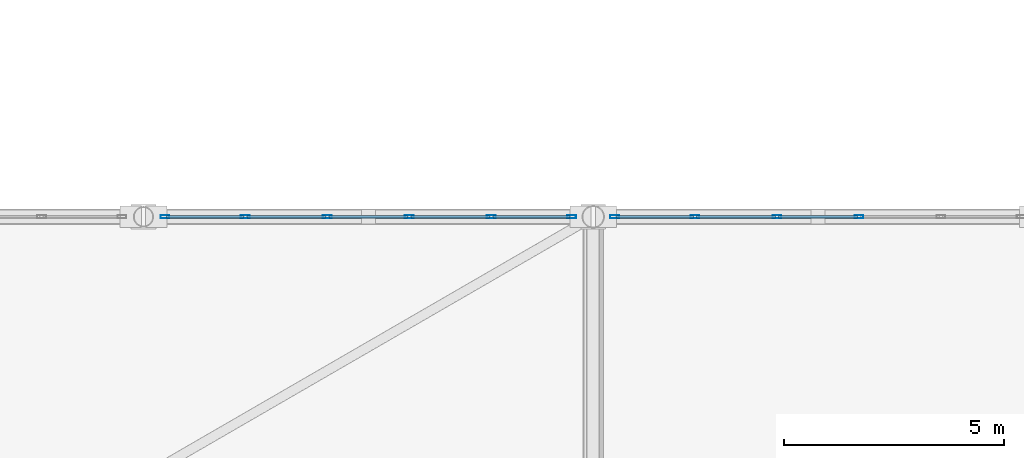
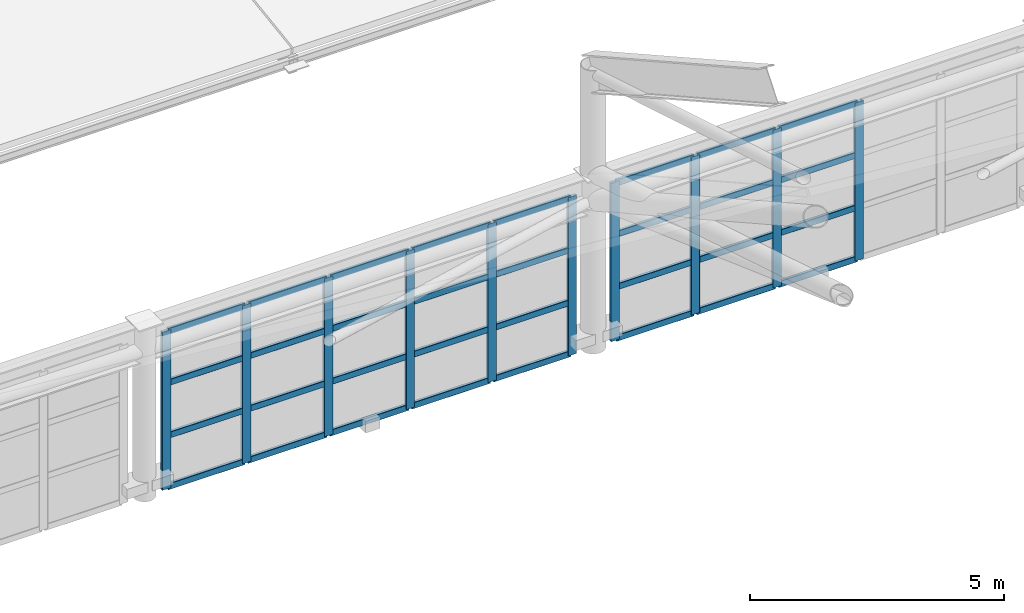
# One storey, part 71 of 135: 42 members, 2 elements without a shape of their own.
"""IFC4 building model written with IfcOpenShell, lengths in metres."""

import ifcopenshell
import ifcopenshell.guid

model = None  # the IFC model being written
_history = None  # IfcOwnerHistory: only IFC2X3 demands one
_inside = {}  # id of a spatial element -> (the spatial element, [elements in it])
_under = {}  # id of a project, library or spatial element -> (it, [spatial elements below it])
_declared = {}  # id of a project -> (the project, [libraries it declares])
_typed = {}  # id of a type object -> (the type object, [elements of that type])
_made_of = {}  # id of a material, layer set ... -> (it, [elements and type objects made of it])


def new_model(schema):
    """Start an empty IFC model of exactly this schema.

    Asked for "IFC4X3", IfcOpenShell would pick the latest addendum, in which some entities
    have other attributes; the version numbers below select the first issue.
    IFC2X3 requires an IfcOwnerHistory on every rooted entity: one is made here for all.
    """
    global model, _history
    if schema == "IFC4X3":
        model = ifcopenshell.file(schema_version=(4, 3, 0, 0))
    else:
        model = ifcopenshell.file(schema=schema)
    _inside.clear()
    _under.clear()
    _declared.clear()
    _typed.clear()
    _made_of.clear()
    _history = None
    if model.schema == "IFC2X3":
        org = make("IfcOrganization", Name="unknown")
        user = make(
            "IfcPersonAndOrganization",
            ThePerson=make("IfcPerson", FamilyName="unknown"),
            TheOrganization=org,
        )
        app = make(
            "IfcApplication",
            ApplicationDeveloper=org,
            Version="unknown",
            ApplicationFullName="unknown",
            ApplicationIdentifier="unknown",
        )
        _history = make(
            "IfcOwnerHistory",
            OwningUser=user,
            OwningApplication=app,
            ChangeAction="ADDED",
            CreationDate=0,
        )
    return model


def make(cls, **values):
    """One entity of the class cls with the attributes given. An attribute that is None is left unset."""
    return model.create_entity(
        cls, **{name: value for name, value in values.items() if value is not None}
    )


def rooted(cls, **values):
    """An entity with a GlobalId (a new one), such as an element, a storey or a relation."""
    return make(cls, GlobalId=ifcopenshell.guid.new(), OwnerHistory=_history, **values)


def si_unit(unit_type, name, prefix=None):
    """IfcSIUnit, for example si_unit("LENGTHUNIT", "METRE", prefix="MILLI")."""
    return make("IfcSIUnit", UnitType=unit_type, Prefix=prefix, Name=name)


def assignment(units):
    """IfcUnitAssignment: the units of a project."""
    return None if units is None else make("IfcUnitAssignment", Units=units)


def point(xyz):
    """IfcCartesianPoint."""
    return None if xyz is None else make("IfcCartesianPoint", Coordinates=xyz)


def direction(xyz):
    """IfcDirection."""
    return None if xyz is None else make("IfcDirection", DirectionRatios=xyz)


def frame(location, z_axis=None, x_axis=None):
    """IfcAxis2Placement3D, a coordinate frame: its origin and axes. An axis left out is left unset."""
    return make(
        "IfcAxis2Placement3D",
        Location=point(location),
        Axis=direction(z_axis),
        RefDirection=direction(x_axis),
    )


def frame_2d(location, x_axis=None):
    """IfcAxis2Placement2D, a coordinate frame in the plane: its origin and x axis."""
    return make(
        "IfcAxis2Placement2D", Location=point(location), RefDirection=direction(x_axis)
    )


def origin():
    """The frame at (0, 0, 0) with its axes left unset."""
    return frame((0.0, 0.0, 0.0))


def origin_2d():
    """The frame at (0, 0) in the plane with its x axis left unset."""
    return frame_2d((0.0, 0.0))


def place(relative_to, where):
    """IfcLocalPlacement: puts the frame where relative to a parent placement (None: the world)."""
    return make(
        "IfcLocalPlacement", PlacementRelTo=relative_to, RelativePlacement=where
    )


def context(
    kind, dimensions, precision=None, world=None, true_north=None, identifier=None
):
    """IfcGeometricRepresentationContext, for example the 3D "Model" context."""
    return make(
        "IfcGeometricRepresentationContext",
        ContextIdentifier=identifier,
        ContextType=kind,
        CoordinateSpaceDimension=dimensions,
        Precision=precision,
        WorldCoordinateSystem=world,
        TrueNorth=true_north,
    )


def subcontext(parent, identifier, kind, view, scale=None):
    """IfcGeometricRepresentationSubContext, for example "Body" below "Model"."""
    return make(
        "IfcGeometricRepresentationSubContext",
        ContextIdentifier=identifier,
        ContextType=kind,
        ParentContext=parent,
        TargetScale=scale,
        TargetView=view,
    )


def project(units=None, contexts=None):
    """IfcProject with its units and contexts."""
    return rooted(
        "IfcProject",
        Name="project",
        RepresentationContexts=contexts,
        UnitsInContext=assignment(units),
    )


def spatial(cls, under=None, at=None, **own):
    """A site, building, storey or space (cls), placed at a placement, below another one or the project."""
    s = rooted(cls, ObjectPlacement=at, **own)
    if under is not None:
        _under.setdefault(under.id(), (under, []))[1].append(s)
    return s


def profile(cls, at=None, kind="AREA", **sizes):
    """A parametric profile (cls). Its sizes go by their IFC names, for example OverallWidth=200.0."""
    return make(cls, ProfileType=kind, Position=at, **sizes)


def hollow_rectangle(**sizes):
    """IfcRectangleHollowProfileDef."""
    return profile("IfcRectangleHollowProfileDef", **sizes)


def extrude(swept, where, along, depth):
    """IfcExtrudedAreaSolid: the profile swept, set in the frame where, extruded along a direction by depth."""
    return make(
        "IfcExtrudedAreaSolid",
        SweptArea=swept,
        Position=where,
        ExtrudedDirection=direction(along),
        Depth=depth,
    )


def shape(context_of_items, identifier, shape_type, items):
    """IfcShapeRepresentation: the items that make up one representation, for example the "Body"."""
    return make(
        "IfcShapeRepresentation",
        ContextOfItems=context_of_items,
        RepresentationIdentifier=identifier,
        RepresentationType=shape_type,
        Items=items,
    )


def material(Name=None, Category=None):
    """IfcMaterial."""
    return make("IfcMaterial", Name=Name, Category=Category)


def material_profile(
    of_material, cross_section, Name=None, Category=None, Priority=None
):
    """IfcMaterialProfile: a cross section and its material."""
    return make(
        "IfcMaterialProfile",
        Name=Name,
        Material=of_material,
        Profile=cross_section,
        Priority=Priority,
        Category=Category,
    )


def profile_set(profiles, Name=None, composite=None):
    """IfcMaterialProfileSet."""
    return make(
        "IfcMaterialProfileSet",
        Name=Name,
        MaterialProfiles=profiles,
        CompositeProfile=composite,
    )


def made_of(thing, what):
    """Note that an element or type object is made of a material, layer set ...; save() writes the relation."""
    if what is not None:
        _made_of.setdefault(what.id(), (what, []))[1].append(thing)
    return thing


def type_object(cls, material=None, **own):
    """A type object (cls), such as IfcWallType, which elements share."""
    return made_of(rooted(cls, **own), material)


def element(
    cls,
    number,
    at=None,
    inside=None,
    cuts=None,
    type_object=None,
    material=None,
    context=None,
    identifier="Body",
    shape_type=None,
    held_by="IfcProductDefinitionShape",
    body=None,
    shapes=None,
    **own,
):
    """One element of the class cls, such as IfcWall. Its Tag is "e" and its number.

    at: its placement. inside: the storey or other place that contains it. cuts: it is an
    opening in that element (IfcRelVoidsElement). A single representation is given by context,
    identifier, shape_type and body (its items); several are given by shapes. held_by: the class
    of the entity that holds the representations. save() writes the other relations.
    """
    e = rooted(cls, Tag="e%d" % number, ObjectPlacement=at, **own)
    if body is not None:
        shapes = [shape(context, identifier, shape_type, body)]
    if shapes is not None:
        e.Representation = make(held_by, Representations=shapes)
    if inside is not None:
        _inside.setdefault(inside.id(), (inside, []))[1].append(e)
    if cuts is not None:
        rooted(
            "IfcRelVoidsElement", RelatingBuildingElement=cuts, RelatedOpeningElement=e
        )
    if type_object is not None:
        _typed.setdefault(type_object.id(), (type_object, []))[1].append(e)
    return made_of(e, material)


def aggregate(whole, parts):
    """IfcRelAggregates: a whole, such as a stair, and the parts it consists of."""
    return rooted("IfcRelAggregates", RelatingObject=whole, RelatedObjects=parts)


def save(model, path):
    """Write the relations noted so far, then the file.

    IfcRelAggregates (storeys below a building ...), IfcRelContainedInSpatialStructure (elements
    in a storey), IfcRelDefinesByType, IfcRelAssociatesMaterial and IfcRelDeclares: one each for
    every whole, place, type object, material and project.
    """
    for whole, parts in _under.values():
        aggregate(whole, parts)
    for where, things in _inside.values():
        rooted(
            "IfcRelContainedInSpatialStructure",
            RelatedElements=things,
            RelatingStructure=where,
        )
    for kind, things in _typed.values():
        rooted("IfcRelDefinesByType", RelatedObjects=things, RelatingType=kind)
    for what, things in _made_of.values():
        rooted("IfcRelAssociatesMaterial", RelatedObjects=things, RelatingMaterial=what)
    for by, libraries in _declared.values():
        rooted("IfcRelDeclares", RelatingContext=by, RelatedDefinitions=libraries)
    model.write(path)


model = new_model("IFC4")

# Units and contexts
model_context = context("Model", 3, precision=1e-05, world=origin(), true_north=direction((0.0, 1.0)))
body_context = subcontext(model_context, "Body", "Model", "MODEL_VIEW")
ifc_project = project(units=[si_unit("LENGTHUNIT", "METRE"), si_unit("AREAUNIT", "SQUARE_METRE"), si_unit("VOLUMEUNIT", "CUBIC_METRE"), si_unit("PLANEANGLEUNIT", "RADIAN"), si_unit("MASSUNIT", "GRAM", prefix="KILO")], contexts=[model_context])

# Site, building, storey
site_placement = place(None, origin())
site = spatial("IfcSite", under=ifc_project, at=site_placement, CompositionType="ELEMENT")
building_placement = place(site_placement, origin())
building = spatial("IfcBuilding", under=site, at=building_placement, Name="Brelvane Convention Centre", CompositionType="ELEMENT")
storey_placement = place(building_placement, frame((0.0, 0.0, 15.0)))
storey = spatial("IfcBuildingStorey", under=building, at=storey_placement, Name="L03", CompositionType="ELEMENT", Elevation=15.0)

# Curtain wall, members
ifc_material_1 = material(Name="Anodised Aluminium Alloy 6063-T6", Category="aluminium")
curtain_wall_type = type_object("IfcCurtainWallType", Name="Curtain Wall CW-PLEN-E", PredefinedType="USERDEFINED", material=ifc_material_1)
curtain_wall_1_placement = place(storey_placement, origin())
curtain_wall_1 = element("IfcCurtainWall", 1, at=curtain_wall_1_placement, inside=storey, type_object=curtain_wall_type, Name="Curtain Wall CW-PLEN-E L03-PLEN-N-CLER-2", ObjectType="UNITISED", PredefinedType="USERDEFINED")
ifc_material_2 = material(Name="Anodised Aluminium Alloy 6063-T6", Category="aluminium")
ifc_material_profile_1 = material_profile(ifc_material_2, hollow_rectangle(XDim=0.074951171875, YDim=0.199951171875, WallThickness=0.0048828125, InnerFilletRadius=0.0048828125, OuterFilletRadius=0.010009765625, at=origin_2d()), Name="ALU-M 200x75x5.0")
ifc_profile_set_1 = profile_set([ifc_material_profile_1], Name="Anodised Aluminium Alloy 6063-T6")
member_type_1 = type_object("IfcMemberType", Name="Curtain Mullion CW-M2", PredefinedType="MULLION", material=ifc_profile_set_1)
member_1_placement = place(storey_placement, frame((173.887451171875, 87.800048828125, 0.0), z_axis=(0.0, 0.0, 1.0), x_axis=(0.0, 1.0, 0.0)))
member_1 = element("IfcMember", 2, at=member_1_placement, type_object=member_type_1, Name="CW-PLEN-E mullion 1", PredefinedType="MULLION", context=body_context, shape_type="SweptSolid", body=[
    extrude(hollow_rectangle(XDim=0.074951171875, YDim=0.199951171875, WallThickness=0.0048828125, InnerFilletRadius=0.0048828125, OuterFilletRadius=0.010009765625, at=origin_2d()), origin(), (0.0, 0.0, 1.0), 3.800048828125),
])
member_2_placement = place(storey_placement, frame((175.7099609375, 87.800048828125, 0.0), z_axis=(0.0, 0.0, 1.0), x_axis=(0.0, 1.0, 0.0)))
member_2 = element("IfcMember", 3, at=member_2_placement, type_object=member_type_1, Name="CW-PLEN-E mullion 2", PredefinedType="MULLION", context=body_context, shape_type="SweptSolid", body=[
    extrude(hollow_rectangle(XDim=0.074951171875, YDim=0.199951171875, WallThickness=0.0048828125, InnerFilletRadius=0.0048828125, OuterFilletRadius=0.010009765625, at=origin_2d()), origin(), (0.0, 0.0, 1.0), 3.800048828125),
])
member_3_placement = place(storey_placement, frame((177.570068359375, 87.800048828125, 0.0), z_axis=(0.0, 0.0, 1.0), x_axis=(0.0, 1.0, 0.0)))
member_3 = element("IfcMember", 4, at=member_3_placement, type_object=member_type_1, Name="CW-PLEN-E mullion 3", PredefinedType="MULLION", context=body_context, shape_type="SweptSolid", body=[
    extrude(hollow_rectangle(XDim=0.074951171875, YDim=0.199951171875, WallThickness=0.0048828125, InnerFilletRadius=0.0048828125, OuterFilletRadius=0.010009765625, at=origin_2d()), origin(), (0.0, 0.0, 1.0), 3.800048828125),
])
member_4_placement = place(storey_placement, frame((179.429931640625, 87.800048828125, 0.0), z_axis=(0.0, 0.0, 1.0), x_axis=(0.0, 1.0, 0.0)))
member_4 = element("IfcMember", 5, at=member_4_placement, type_object=member_type_1, Name="CW-PLEN-E mullion 4", PredefinedType="MULLION", context=body_context, shape_type="SweptSolid", body=[
    extrude(hollow_rectangle(XDim=0.074951171875, YDim=0.199951171875, WallThickness=0.0048828125, InnerFilletRadius=0.0048828125, OuterFilletRadius=0.010009765625, at=origin_2d()), origin(), (0.0, 0.0, 1.0), 3.800048828125),
])
member_5_placement = place(storey_placement, frame((181.2900390625, 87.800048828125, 0.0), z_axis=(0.0, 0.0, 1.0), x_axis=(0.0, 1.0, 0.0)))
member_5 = element("IfcMember", 6, at=member_5_placement, type_object=member_type_1, Name="CW-PLEN-E mullion 5", PredefinedType="MULLION", context=body_context, shape_type="SweptSolid", body=[
    extrude(hollow_rectangle(XDim=0.074951171875, YDim=0.199951171875, WallThickness=0.0048828125, InnerFilletRadius=0.0048828125, OuterFilletRadius=0.010009765625, at=origin_2d()), origin(), (0.0, 0.0, 1.0), 3.800048828125),
])
member_6_placement = place(storey_placement, frame((183.112548828125, 87.800048828125, 0.0), z_axis=(0.0, 0.0, 1.0), x_axis=(0.0, 1.0, 0.0)))
member_6 = element("IfcMember", 7, at=member_6_placement, type_object=member_type_1, Name="CW-PLEN-E mullion 6", PredefinedType="MULLION", context=body_context, shape_type="SweptSolid", body=[
    extrude(hollow_rectangle(XDim=0.074951171875, YDim=0.199951171875, WallThickness=0.0048828125, InnerFilletRadius=0.0048828125, OuterFilletRadius=0.010009765625, at=origin_2d()), origin(), (0.0, 0.0, 1.0), 3.800048828125),
])

curtain_wall_2_placement = place(storey_placement, origin())
curtain_wall_2 = element("IfcCurtainWall", 8, at=curtain_wall_2_placement, inside=storey, type_object=curtain_wall_type, Name="Curtain Wall CW-PLEN-E L03-PLEN-N-CLER-3", ObjectType="UNITISED", PredefinedType="USERDEFINED")
member_7_placement = place(storey_placement, frame((184.08740234375, 87.800048828125, 0.0), z_axis=(0.0, 0.0, 1.0), x_axis=(0.0, 1.0, 0.0)))
member_7 = element("IfcMember", 9, at=member_7_placement, type_object=member_type_1, Name="CW-PLEN-E mullion 1", PredefinedType="MULLION", context=body_context, shape_type="SweptSolid", body=[
    extrude(hollow_rectangle(XDim=0.074951171875, YDim=0.199951171875, WallThickness=0.0048828125, InnerFilletRadius=0.0048828125, OuterFilletRadius=0.010009765625, at=origin_2d()), origin(), (0.0, 0.0, 1.0), 3.800048828125),
])
member_8_placement = place(storey_placement, frame((185.909912109375, 87.800048828125, 0.0), z_axis=(0.0, 0.0, 1.0), x_axis=(0.0, 1.0, 0.0)))
member_8 = element("IfcMember", 10, at=member_8_placement, type_object=member_type_1, Name="CW-PLEN-E mullion 2", PredefinedType="MULLION", context=body_context, shape_type="SweptSolid", body=[
    extrude(hollow_rectangle(XDim=0.074951171875, YDim=0.199951171875, WallThickness=0.0048828125, InnerFilletRadius=0.0048828125, OuterFilletRadius=0.010009765625, at=origin_2d()), origin(), (0.0, 0.0, 1.0), 3.800048828125),
])
member_9_placement = place(storey_placement, frame((187.77001953125, 87.800048828125, 0.0), z_axis=(0.0, 0.0, 1.0), x_axis=(0.0, 1.0, 0.0)))
member_9 = element("IfcMember", 11, at=member_9_placement, type_object=member_type_1, Name="CW-PLEN-E mullion 3", PredefinedType="MULLION", context=body_context, shape_type="SweptSolid", body=[
    extrude(hollow_rectangle(XDim=0.074951171875, YDim=0.199951171875, WallThickness=0.0048828125, InnerFilletRadius=0.0048828125, OuterFilletRadius=0.010009765625, at=origin_2d()), origin(), (0.0, 0.0, 1.0), 3.800048828125),
])
member_10_placement = place(storey_placement, frame((189.6298828125, 87.800048828125, 0.0), z_axis=(0.0, 0.0, 1.0), x_axis=(0.0, 1.0, 0.0)))
member_10 = element("IfcMember", 12, at=member_10_placement, type_object=member_type_1, Name="CW-PLEN-E mullion 4", PredefinedType="MULLION", context=body_context, shape_type="SweptSolid", body=[
    extrude(hollow_rectangle(XDim=0.074951171875, YDim=0.199951171875, WallThickness=0.0048828125, InnerFilletRadius=0.0048828125, OuterFilletRadius=0.010009765625, at=origin_2d()), origin(), (0.0, 0.0, 1.0), 3.800048828125),
])

# Member
ifc_material_3 = material(Name="Anodised Aluminium Alloy 6063-T6", Category="aluminium")
ifc_material_profile_2 = material_profile(ifc_material_3, hollow_rectangle(XDim=0.070068359375, YDim=0.14990234375, WallThickness=0.00439453125, InnerFilletRadius=0.00439453125, OuterFilletRadius=0.009033203125, at=origin_2d()), Name="ALU-T 150x70x4.5")
ifc_profile_set_2 = profile_set([ifc_material_profile_2], Name="Anodised Aluminium Alloy 6063-T6")
member_type_2 = type_object("IfcMemberType", Name="Curtain Transom CW-T2", PredefinedType="USERDEFINED", material=ifc_profile_set_2)
member_11_placement = place(storey_placement, frame((173.925048828125, 87.800048828125, 0.034912109375), z_axis=(1.0, 0.0, 0.0), x_axis=(0.0, 1.0, 0.0)))
member_11 = element("IfcMember", 13, at=member_11_placement, type_object=member_type_2, Name="CW-PLEN-E transom 1.1", ObjectType="TRANSOM", PredefinedType="USERDEFINED", context=body_context, shape_type="SweptSolid", body=[
    extrude(hollow_rectangle(XDim=0.070068359375, YDim=0.14990234375, WallThickness=0.00439453125, InnerFilletRadius=0.00439453125, OuterFilletRadius=0.009033203125, at=origin_2d()), origin(), (0.0, 0.0, 1.0), 1.74755859375),
])

member_12_placement = place(storey_placement, frame((173.925048828125, 87.800048828125, 1.2666015625), z_axis=(1.0, 0.0, 0.0), x_axis=(0.0, 1.0, 0.0)))
member_12 = element("IfcMember", 14, at=member_12_placement, type_object=member_type_2, Name="CW-PLEN-E transom 1.2", ObjectType="TRANSOM", PredefinedType="USERDEFINED", context=body_context, shape_type="SweptSolid", body=[
    extrude(hollow_rectangle(XDim=0.070068359375, YDim=0.14990234375, WallThickness=0.00439453125, InnerFilletRadius=0.00439453125, OuterFilletRadius=0.009033203125, at=origin_2d()), origin(), (0.0, 0.0, 1.0), 1.74755859375),
])

member_13_placement = place(storey_placement, frame((173.925048828125, 87.800048828125, 2.533203125), z_axis=(1.0, 0.0, 0.0), x_axis=(0.0, 1.0, 0.0)))
member_13 = element("IfcMember", 15, at=member_13_placement, type_object=member_type_2, Name="CW-PLEN-E transom 1.3", ObjectType="TRANSOM", PredefinedType="USERDEFINED", context=body_context, shape_type="SweptSolid", body=[
    extrude(hollow_rectangle(XDim=0.070068359375, YDim=0.14990234375, WallThickness=0.00439453125, InnerFilletRadius=0.00439453125, OuterFilletRadius=0.009033203125, at=origin_2d()), origin(), (0.0, 0.0, 1.0), 1.74755859375),
])

member_14_placement = place(storey_placement, frame((173.925048828125, 87.800048828125, 3.764892578125), z_axis=(1.0, 0.0, 0.0), x_axis=(0.0, 1.0, 0.0)))
member_14 = element("IfcMember", 16, at=member_14_placement, type_object=member_type_2, Name="CW-PLEN-E transom 1.4", ObjectType="TRANSOM", PredefinedType="USERDEFINED", context=body_context, shape_type="SweptSolid", body=[
    extrude(hollow_rectangle(XDim=0.070068359375, YDim=0.14990234375, WallThickness=0.00439453125, InnerFilletRadius=0.00439453125, OuterFilletRadius=0.009033203125, at=origin_2d()), origin(), (0.0, 0.0, 1.0), 1.74755859375),
])

member_15_placement = place(storey_placement, frame((175.74755859375, 87.800048828125, 0.034912109375), z_axis=(1.0, 0.0, 0.0), x_axis=(0.0, 1.0, 0.0)))
member_15 = element("IfcMember", 17, at=member_15_placement, type_object=member_type_2, Name="CW-PLEN-E transom 2.1", ObjectType="TRANSOM", PredefinedType="USERDEFINED", context=body_context, shape_type="SweptSolid", body=[
    extrude(hollow_rectangle(XDim=0.070068359375, YDim=0.14990234375, WallThickness=0.00439453125, InnerFilletRadius=0.00439453125, OuterFilletRadius=0.009033203125, at=origin_2d()), origin(), (0.0, 0.0, 1.0), 1.784912109375),
])

member_16_placement = place(storey_placement, frame((175.74755859375, 87.800048828125, 1.2666015625), z_axis=(1.0, 0.0, 0.0), x_axis=(0.0, 1.0, 0.0)))
member_16 = element("IfcMember", 18, at=member_16_placement, type_object=member_type_2, Name="CW-PLEN-E transom 2.2", ObjectType="TRANSOM", PredefinedType="USERDEFINED", context=body_context, shape_type="SweptSolid", body=[
    extrude(hollow_rectangle(XDim=0.070068359375, YDim=0.14990234375, WallThickness=0.00439453125, InnerFilletRadius=0.00439453125, OuterFilletRadius=0.009033203125, at=origin_2d()), origin(), (0.0, 0.0, 1.0), 1.784912109375),
])

member_17_placement = place(storey_placement, frame((175.74755859375, 87.800048828125, 2.533203125), z_axis=(1.0, 0.0, 0.0), x_axis=(0.0, 1.0, 0.0)))
member_17 = element("IfcMember", 19, at=member_17_placement, type_object=member_type_2, Name="CW-PLEN-E transom 2.3", ObjectType="TRANSOM", PredefinedType="USERDEFINED", context=body_context, shape_type="SweptSolid", body=[
    extrude(hollow_rectangle(XDim=0.070068359375, YDim=0.14990234375, WallThickness=0.00439453125, InnerFilletRadius=0.00439453125, OuterFilletRadius=0.009033203125, at=origin_2d()), origin(), (0.0, 0.0, 1.0), 1.784912109375),
])

member_18_placement = place(storey_placement, frame((175.74755859375, 87.800048828125, 3.764892578125), z_axis=(1.0, 0.0, 0.0), x_axis=(0.0, 1.0, 0.0)))
member_18 = element("IfcMember", 20, at=member_18_placement, type_object=member_type_2, Name="CW-PLEN-E transom 2.4", ObjectType="TRANSOM", PredefinedType="USERDEFINED", context=body_context, shape_type="SweptSolid", body=[
    extrude(hollow_rectangle(XDim=0.070068359375, YDim=0.14990234375, WallThickness=0.00439453125, InnerFilletRadius=0.00439453125, OuterFilletRadius=0.009033203125, at=origin_2d()), origin(), (0.0, 0.0, 1.0), 1.784912109375),
])

member_19_placement = place(storey_placement, frame((177.607421875, 87.800048828125, 0.034912109375), z_axis=(1.0, 0.0, 0.0), x_axis=(0.0, 1.0, 0.0)))
member_19 = element("IfcMember", 21, at=member_19_placement, type_object=member_type_2, Name="CW-PLEN-E transom 3.1", ObjectType="TRANSOM", PredefinedType="USERDEFINED", context=body_context, shape_type="SweptSolid", body=[
    extrude(hollow_rectangle(XDim=0.070068359375, YDim=0.14990234375, WallThickness=0.00439453125, InnerFilletRadius=0.00439453125, OuterFilletRadius=0.009033203125, at=origin_2d()), origin(), (0.0, 0.0, 1.0), 1.78515625),
])

member_20_placement = place(storey_placement, frame((177.607421875, 87.800048828125, 1.2666015625), z_axis=(1.0, 0.0, 0.0), x_axis=(0.0, 1.0, 0.0)))
member_20 = element("IfcMember", 22, at=member_20_placement, type_object=member_type_2, Name="CW-PLEN-E transom 3.2", ObjectType="TRANSOM", PredefinedType="USERDEFINED", context=body_context, shape_type="SweptSolid", body=[
    extrude(hollow_rectangle(XDim=0.070068359375, YDim=0.14990234375, WallThickness=0.00439453125, InnerFilletRadius=0.00439453125, OuterFilletRadius=0.009033203125, at=origin_2d()), origin(), (0.0, 0.0, 1.0), 1.78515625),
])

member_21_placement = place(storey_placement, frame((177.607421875, 87.800048828125, 2.533203125), z_axis=(1.0, 0.0, 0.0), x_axis=(0.0, 1.0, 0.0)))
member_21 = element("IfcMember", 23, at=member_21_placement, type_object=member_type_2, Name="CW-PLEN-E transom 3.3", ObjectType="TRANSOM", PredefinedType="USERDEFINED", context=body_context, shape_type="SweptSolid", body=[
    extrude(hollow_rectangle(XDim=0.070068359375, YDim=0.14990234375, WallThickness=0.00439453125, InnerFilletRadius=0.00439453125, OuterFilletRadius=0.009033203125, at=origin_2d()), origin(), (0.0, 0.0, 1.0), 1.78515625),
])

member_22_placement = place(storey_placement, frame((177.607421875, 87.800048828125, 3.764892578125), z_axis=(1.0, 0.0, 0.0), x_axis=(0.0, 1.0, 0.0)))
member_22 = element("IfcMember", 24, at=member_22_placement, type_object=member_type_2, Name="CW-PLEN-E transom 3.4", ObjectType="TRANSOM", PredefinedType="USERDEFINED", context=body_context, shape_type="SweptSolid", body=[
    extrude(hollow_rectangle(XDim=0.070068359375, YDim=0.14990234375, WallThickness=0.00439453125, InnerFilletRadius=0.00439453125, OuterFilletRadius=0.009033203125, at=origin_2d()), origin(), (0.0, 0.0, 1.0), 1.78515625),
])

member_23_placement = place(storey_placement, frame((179.467529296875, 87.800048828125, 0.034912109375), z_axis=(1.0, 0.0, 0.0), x_axis=(0.0, 1.0, 0.0)))
member_23 = element("IfcMember", 25, at=member_23_placement, type_object=member_type_2, Name="CW-PLEN-E transom 4.1", ObjectType="TRANSOM", PredefinedType="USERDEFINED", context=body_context, shape_type="SweptSolid", body=[
    extrude(hollow_rectangle(XDim=0.070068359375, YDim=0.14990234375, WallThickness=0.00439453125, InnerFilletRadius=0.00439453125, OuterFilletRadius=0.009033203125, at=origin_2d()), origin(), (0.0, 0.0, 1.0), 1.784912109375),
])

member_24_placement = place(storey_placement, frame((179.467529296875, 87.800048828125, 1.2666015625), z_axis=(1.0, 0.0, 0.0), x_axis=(0.0, 1.0, 0.0)))
member_24 = element("IfcMember", 26, at=member_24_placement, type_object=member_type_2, Name="CW-PLEN-E transom 4.2", ObjectType="TRANSOM", PredefinedType="USERDEFINED", context=body_context, shape_type="SweptSolid", body=[
    extrude(hollow_rectangle(XDim=0.070068359375, YDim=0.14990234375, WallThickness=0.00439453125, InnerFilletRadius=0.00439453125, OuterFilletRadius=0.009033203125, at=origin_2d()), origin(), (0.0, 0.0, 1.0), 1.784912109375),
])

member_25_placement = place(storey_placement, frame((179.467529296875, 87.800048828125, 2.533203125), z_axis=(1.0, 0.0, 0.0), x_axis=(0.0, 1.0, 0.0)))
member_25 = element("IfcMember", 27, at=member_25_placement, type_object=member_type_2, Name="CW-PLEN-E transom 4.3", ObjectType="TRANSOM", PredefinedType="USERDEFINED", context=body_context, shape_type="SweptSolid", body=[
    extrude(hollow_rectangle(XDim=0.070068359375, YDim=0.14990234375, WallThickness=0.00439453125, InnerFilletRadius=0.00439453125, OuterFilletRadius=0.009033203125, at=origin_2d()), origin(), (0.0, 0.0, 1.0), 1.784912109375),
])

member_26_placement = place(storey_placement, frame((179.467529296875, 87.800048828125, 3.764892578125), z_axis=(1.0, 0.0, 0.0), x_axis=(0.0, 1.0, 0.0)))
member_26 = element("IfcMember", 28, at=member_26_placement, type_object=member_type_2, Name="CW-PLEN-E transom 4.4", ObjectType="TRANSOM", PredefinedType="USERDEFINED", context=body_context, shape_type="SweptSolid", body=[
    extrude(hollow_rectangle(XDim=0.070068359375, YDim=0.14990234375, WallThickness=0.00439453125, InnerFilletRadius=0.00439453125, OuterFilletRadius=0.009033203125, at=origin_2d()), origin(), (0.0, 0.0, 1.0), 1.784912109375),
])

member_27_placement = place(storey_placement, frame((181.327392578125, 87.800048828125, 0.034912109375), z_axis=(1.0, 0.0, 0.0), x_axis=(0.0, 1.0, 0.0)))
member_27 = element("IfcMember", 29, at=member_27_placement, type_object=member_type_2, Name="CW-PLEN-E transom 5.1", ObjectType="TRANSOM", PredefinedType="USERDEFINED", context=body_context, shape_type="SweptSolid", body=[
    extrude(hollow_rectangle(XDim=0.070068359375, YDim=0.14990234375, WallThickness=0.00439453125, InnerFilletRadius=0.00439453125, OuterFilletRadius=0.009033203125, at=origin_2d()), origin(), (0.0, 0.0, 1.0), 1.74755859375),
])

member_28_placement = place(storey_placement, frame((181.327392578125, 87.800048828125, 1.2666015625), z_axis=(1.0, 0.0, 0.0), x_axis=(0.0, 1.0, 0.0)))
member_28 = element("IfcMember", 30, at=member_28_placement, type_object=member_type_2, Name="CW-PLEN-E transom 5.2", ObjectType="TRANSOM", PredefinedType="USERDEFINED", context=body_context, shape_type="SweptSolid", body=[
    extrude(hollow_rectangle(XDim=0.070068359375, YDim=0.14990234375, WallThickness=0.00439453125, InnerFilletRadius=0.00439453125, OuterFilletRadius=0.009033203125, at=origin_2d()), origin(), (0.0, 0.0, 1.0), 1.74755859375),
])

member_29_placement = place(storey_placement, frame((181.327392578125, 87.800048828125, 2.533203125), z_axis=(1.0, 0.0, 0.0), x_axis=(0.0, 1.0, 0.0)))
member_29 = element("IfcMember", 31, at=member_29_placement, type_object=member_type_2, Name="CW-PLEN-E transom 5.3", ObjectType="TRANSOM", PredefinedType="USERDEFINED", context=body_context, shape_type="SweptSolid", body=[
    extrude(hollow_rectangle(XDim=0.070068359375, YDim=0.14990234375, WallThickness=0.00439453125, InnerFilletRadius=0.00439453125, OuterFilletRadius=0.009033203125, at=origin_2d()), origin(), (0.0, 0.0, 1.0), 1.74755859375),
])

member_30_placement = place(storey_placement, frame((181.327392578125, 87.800048828125, 3.764892578125), z_axis=(1.0, 0.0, 0.0), x_axis=(0.0, 1.0, 0.0)))
member_30 = element("IfcMember", 32, at=member_30_placement, type_object=member_type_2, Name="CW-PLEN-E transom 5.4", ObjectType="TRANSOM", PredefinedType="USERDEFINED", context=body_context, shape_type="SweptSolid", body=[
    extrude(hollow_rectangle(XDim=0.070068359375, YDim=0.14990234375, WallThickness=0.00439453125, InnerFilletRadius=0.00439453125, OuterFilletRadius=0.009033203125, at=origin_2d()), origin(), (0.0, 0.0, 1.0), 1.74755859375),
])

aggregate(curtain_wall_1, [member_1, member_2, member_3, member_4, member_5, member_6, member_11, member_12, member_13, member_14, member_15, member_16, member_17, member_18, member_19, member_20, member_21, member_22, member_23, member_24, member_25, member_26, member_27, member_28, member_29, member_30])

member_31_placement = place(storey_placement, frame((184.125, 87.800048828125, 0.034912109375), z_axis=(1.0, 0.0, 0.0), x_axis=(0.0, 1.0, 0.0)))
member_31 = element("IfcMember", 33, at=member_31_placement, type_object=member_type_2, Name="CW-PLEN-E transom 1.1", ObjectType="TRANSOM", PredefinedType="USERDEFINED", context=body_context, shape_type="SweptSolid", body=[
    extrude(hollow_rectangle(XDim=0.070068359375, YDim=0.14990234375, WallThickness=0.00439453125, InnerFilletRadius=0.00439453125, OuterFilletRadius=0.009033203125, at=origin_2d()), origin(), (0.0, 0.0, 1.0), 1.74755859375),
])

member_32_placement = place(storey_placement, frame((184.125, 87.800048828125, 1.2666015625), z_axis=(1.0, 0.0, 0.0), x_axis=(0.0, 1.0, 0.0)))
member_32 = element("IfcMember", 34, at=member_32_placement, type_object=member_type_2, Name="CW-PLEN-E transom 1.2", ObjectType="TRANSOM", PredefinedType="USERDEFINED", context=body_context, shape_type="SweptSolid", body=[
    extrude(hollow_rectangle(XDim=0.070068359375, YDim=0.14990234375, WallThickness=0.00439453125, InnerFilletRadius=0.00439453125, OuterFilletRadius=0.009033203125, at=origin_2d()), origin(), (0.0, 0.0, 1.0), 1.74755859375),
])

member_33_placement = place(storey_placement, frame((184.125, 87.800048828125, 2.533203125), z_axis=(1.0, 0.0, 0.0), x_axis=(0.0, 1.0, 0.0)))
member_33 = element("IfcMember", 35, at=member_33_placement, type_object=member_type_2, Name="CW-PLEN-E transom 1.3", ObjectType="TRANSOM", PredefinedType="USERDEFINED", context=body_context, shape_type="SweptSolid", body=[
    extrude(hollow_rectangle(XDim=0.070068359375, YDim=0.14990234375, WallThickness=0.00439453125, InnerFilletRadius=0.00439453125, OuterFilletRadius=0.009033203125, at=origin_2d()), origin(), (0.0, 0.0, 1.0), 1.74755859375),
])

member_34_placement = place(storey_placement, frame((184.125, 87.800048828125, 3.764892578125), z_axis=(1.0, 0.0, 0.0), x_axis=(0.0, 1.0, 0.0)))
member_34 = element("IfcMember", 36, at=member_34_placement, type_object=member_type_2, Name="CW-PLEN-E transom 1.4", ObjectType="TRANSOM", PredefinedType="USERDEFINED", context=body_context, shape_type="SweptSolid", body=[
    extrude(hollow_rectangle(XDim=0.070068359375, YDim=0.14990234375, WallThickness=0.00439453125, InnerFilletRadius=0.00439453125, OuterFilletRadius=0.009033203125, at=origin_2d()), origin(), (0.0, 0.0, 1.0), 1.74755859375),
])

member_35_placement = place(storey_placement, frame((185.947509765625, 87.800048828125, 0.034912109375), z_axis=(1.0, 0.0, 0.0), x_axis=(0.0, 1.0, 0.0)))
member_35 = element("IfcMember", 37, at=member_35_placement, type_object=member_type_2, Name="CW-PLEN-E transom 2.1", ObjectType="TRANSOM", PredefinedType="USERDEFINED", context=body_context, shape_type="SweptSolid", body=[
    extrude(hollow_rectangle(XDim=0.070068359375, YDim=0.14990234375, WallThickness=0.00439453125, InnerFilletRadius=0.00439453125, OuterFilletRadius=0.009033203125, at=origin_2d()), origin(), (0.0, 0.0, 1.0), 1.784912109375),
])

member_36_placement = place(storey_placement, frame((185.947509765625, 87.800048828125, 1.2666015625), z_axis=(1.0, 0.0, 0.0), x_axis=(0.0, 1.0, 0.0)))
member_36 = element("IfcMember", 38, at=member_36_placement, type_object=member_type_2, Name="CW-PLEN-E transom 2.2", ObjectType="TRANSOM", PredefinedType="USERDEFINED", context=body_context, shape_type="SweptSolid", body=[
    extrude(hollow_rectangle(XDim=0.070068359375, YDim=0.14990234375, WallThickness=0.00439453125, InnerFilletRadius=0.00439453125, OuterFilletRadius=0.009033203125, at=origin_2d()), origin(), (0.0, 0.0, 1.0), 1.784912109375),
])

member_37_placement = place(storey_placement, frame((185.947509765625, 87.800048828125, 2.533203125), z_axis=(1.0, 0.0, 0.0), x_axis=(0.0, 1.0, 0.0)))
member_37 = element("IfcMember", 39, at=member_37_placement, type_object=member_type_2, Name="CW-PLEN-E transom 2.3", ObjectType="TRANSOM", PredefinedType="USERDEFINED", context=body_context, shape_type="SweptSolid", body=[
    extrude(hollow_rectangle(XDim=0.070068359375, YDim=0.14990234375, WallThickness=0.00439453125, InnerFilletRadius=0.00439453125, OuterFilletRadius=0.009033203125, at=origin_2d()), origin(), (0.0, 0.0, 1.0), 1.784912109375),
])

member_38_placement = place(storey_placement, frame((185.947509765625, 87.800048828125, 3.764892578125), z_axis=(1.0, 0.0, 0.0), x_axis=(0.0, 1.0, 0.0)))
member_38 = element("IfcMember", 40, at=member_38_placement, type_object=member_type_2, Name="CW-PLEN-E transom 2.4", ObjectType="TRANSOM", PredefinedType="USERDEFINED", context=body_context, shape_type="SweptSolid", body=[
    extrude(hollow_rectangle(XDim=0.070068359375, YDim=0.14990234375, WallThickness=0.00439453125, InnerFilletRadius=0.00439453125, OuterFilletRadius=0.009033203125, at=origin_2d()), origin(), (0.0, 0.0, 1.0), 1.784912109375),
])

member_39_placement = place(storey_placement, frame((187.8076171875, 87.800048828125, 0.034912109375), z_axis=(1.0, 0.0, 0.0), x_axis=(0.0, 1.0, 0.0)))
member_39 = element("IfcMember", 41, at=member_39_placement, type_object=member_type_2, Name="CW-PLEN-E transom 3.1", ObjectType="TRANSOM", PredefinedType="USERDEFINED", context=body_context, shape_type="SweptSolid", body=[
    extrude(hollow_rectangle(XDim=0.070068359375, YDim=0.14990234375, WallThickness=0.00439453125, InnerFilletRadius=0.00439453125, OuterFilletRadius=0.009033203125, at=origin_2d()), origin(), (0.0, 0.0, 1.0), 1.784912109375),
])

member_40_placement = place(storey_placement, frame((187.8076171875, 87.800048828125, 1.2666015625), z_axis=(1.0, 0.0, 0.0), x_axis=(0.0, 1.0, 0.0)))
member_40 = element("IfcMember", 42, at=member_40_placement, type_object=member_type_2, Name="CW-PLEN-E transom 3.2", ObjectType="TRANSOM", PredefinedType="USERDEFINED", context=body_context, shape_type="SweptSolid", body=[
    extrude(hollow_rectangle(XDim=0.070068359375, YDim=0.14990234375, WallThickness=0.00439453125, InnerFilletRadius=0.00439453125, OuterFilletRadius=0.009033203125, at=origin_2d()), origin(), (0.0, 0.0, 1.0), 1.784912109375),
])

member_41_placement = place(storey_placement, frame((187.8076171875, 87.800048828125, 2.533203125), z_axis=(1.0, 0.0, 0.0), x_axis=(0.0, 1.0, 0.0)))
member_41 = element("IfcMember", 43, at=member_41_placement, type_object=member_type_2, Name="CW-PLEN-E transom 3.3", ObjectType="TRANSOM", PredefinedType="USERDEFINED", context=body_context, shape_type="SweptSolid", body=[
    extrude(hollow_rectangle(XDim=0.070068359375, YDim=0.14990234375, WallThickness=0.00439453125, InnerFilletRadius=0.00439453125, OuterFilletRadius=0.009033203125, at=origin_2d()), origin(), (0.0, 0.0, 1.0), 1.784912109375),
])

member_42_placement = place(storey_placement, frame((187.8076171875, 87.800048828125, 3.764892578125), z_axis=(1.0, 0.0, 0.0), x_axis=(0.0, 1.0, 0.0)))
member_42 = element("IfcMember", 44, at=member_42_placement, type_object=member_type_2, Name="CW-PLEN-E transom 3.4", ObjectType="TRANSOM", PredefinedType="USERDEFINED", context=body_context, shape_type="SweptSolid", body=[
    extrude(hollow_rectangle(XDim=0.070068359375, YDim=0.14990234375, WallThickness=0.00439453125, InnerFilletRadius=0.00439453125, OuterFilletRadius=0.009033203125, at=origin_2d()), origin(), (0.0, 0.0, 1.0), 1.784912109375),
])

aggregate(curtain_wall_2, [member_7, member_8, member_9, member_10, member_31, member_32, member_33, member_34, member_35, member_36, member_37, member_38, member_39, member_40, member_41, member_42])

save(model, "model.ifc")
